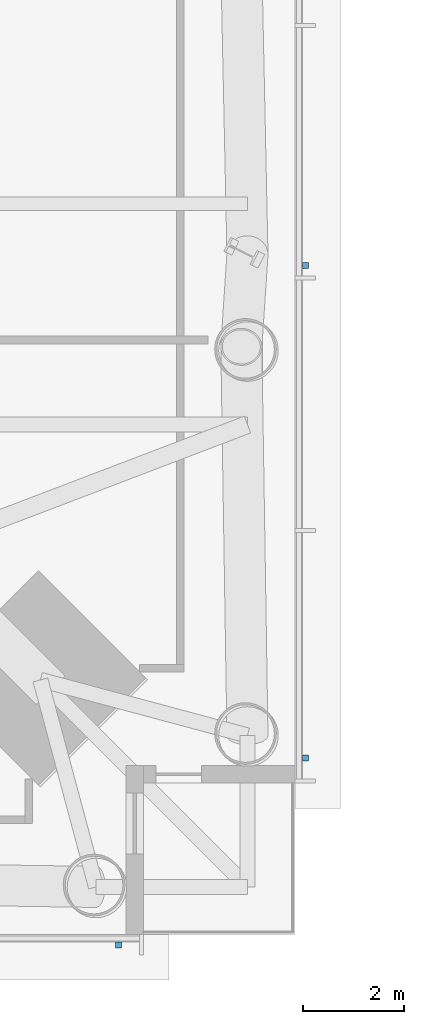
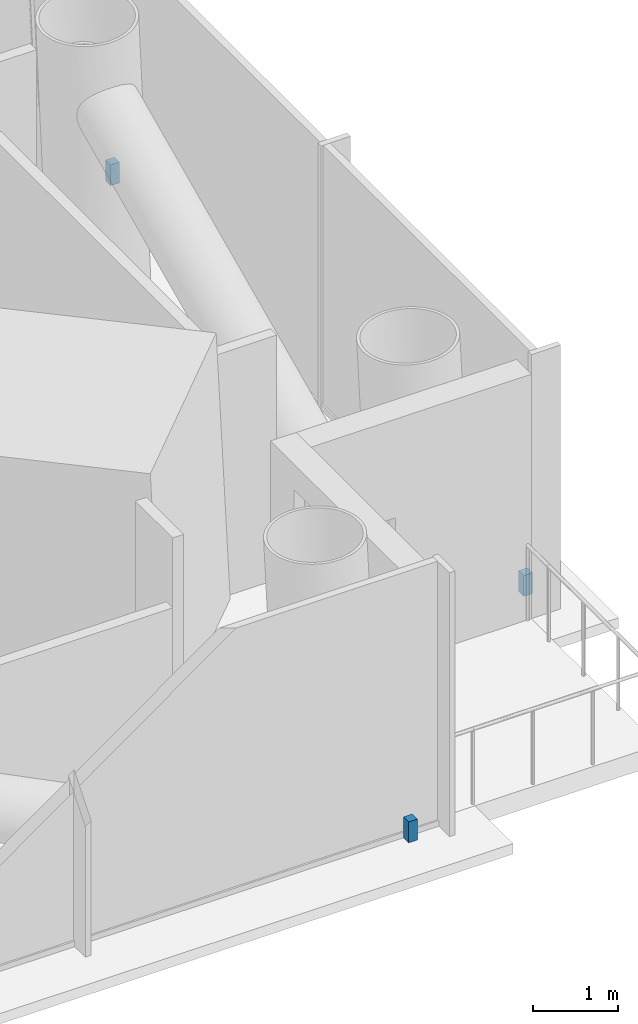
# One storey, part 18 of 28: 3 discrete accessories.
"""IFC4 building model written with IfcOpenShell, lengths in metres."""

from ifc_helpers import new_model, si_unit, direction, frame, origin, origin_2d, place, context, subcontext, project, spatial, rectangle, extrude, material, type_object, element, save


model = new_model("IFC4")

# Units and contexts
model_context = context("Model", 3, precision=1e-05, world=origin(), true_north=direction((0.0, 1.0)))
body_context = subcontext(model_context, "Body", "Model", "MODEL_VIEW")
ifc_project = project(units=[si_unit("LENGTHUNIT", "METRE"), si_unit("AREAUNIT", "SQUARE_METRE"), si_unit("VOLUMEUNIT", "CUBIC_METRE"), si_unit("PLANEANGLEUNIT", "RADIAN"), si_unit("MASSUNIT", "GRAM", prefix="KILO")], contexts=[model_context])

# Site, building, storey
site_placement = place(None, origin())
site = spatial("IfcSite", under=ifc_project, at=site_placement, CompositionType="ELEMENT")
building_placement = place(site_placement, origin())
building = spatial("IfcBuilding", under=site, at=building_placement, Name="Ostroluk Exchange", CompositionType="ELEMENT")
storey_placement = place(building_placement, frame((0.0, 0.0, 81.800048828125)))
storey = spatial("IfcBuildingStorey", under=building, at=storey_placement, Name="L20", CompositionType="ELEMENT", Elevation=81.800048828125)

# Discrete accessories
ifc_material = material(Name="Stainless steel", Category="steel")
discrete_accessory_type = type_object("IfcDiscreteAccessoryType", Name="Fall-arrest anchor PN-EN 795 type C", PredefinedType="USERDEFINED", material=ifc_material)
for number, where, z_axis, x_axis, name in (
    (1, (64.5, 22.7900390625, 0.0), (0.0, 0.0, 1.0), (1.0, 0.0, 0.0), "Fall-arrest anchor L20 south 5"),
    (2, (68.2099609375, 26.5, 0.0), (0.0, 0.0, 1.0), (1.0, 0.0, 0.0), "Fall-arrest anchor L20 east 1"),
    (3, (68.2099609375, 36.25, 0.0), (0.0, 0.0, 1.0), (1.0, 0.0, 0.0), "Fall-arrest anchor L20 east 2"),
):
    element("IfcDiscreteAccessory", number, at=place(storey_placement, frame(where, z_axis=z_axis, x_axis=x_axis)), inside=storey, type_object=discrete_accessory_type, Name=name, ObjectType="FALL ARREST ANCHOR", PredefinedType="USERDEFINED", context=body_context, shape_type="SweptSolid", body=[
        extrude(rectangle(XDim=0.1201171875, YDim=0.1201171875, at=origin_2d()), origin(), (0.0, 0.0, 1.0), 0.300048828125),
    ])

save(model, "model.ifc")
